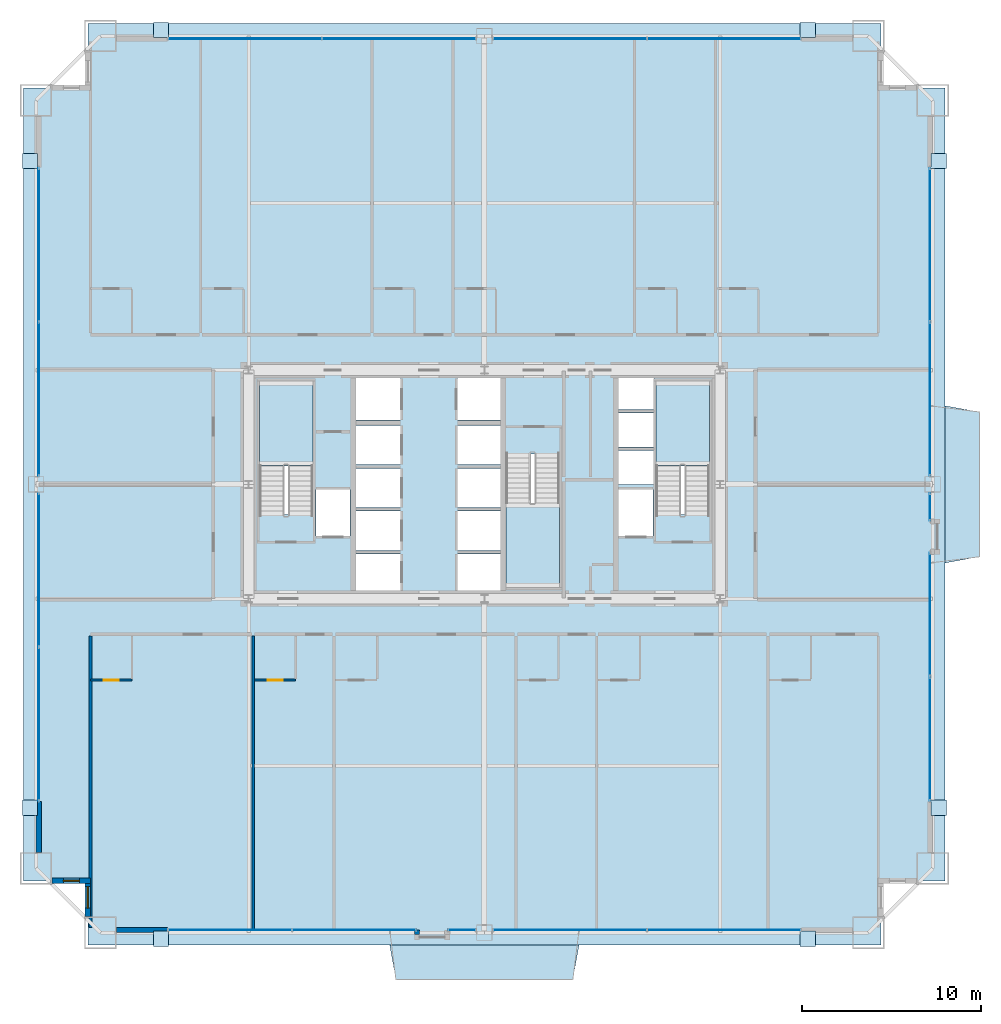
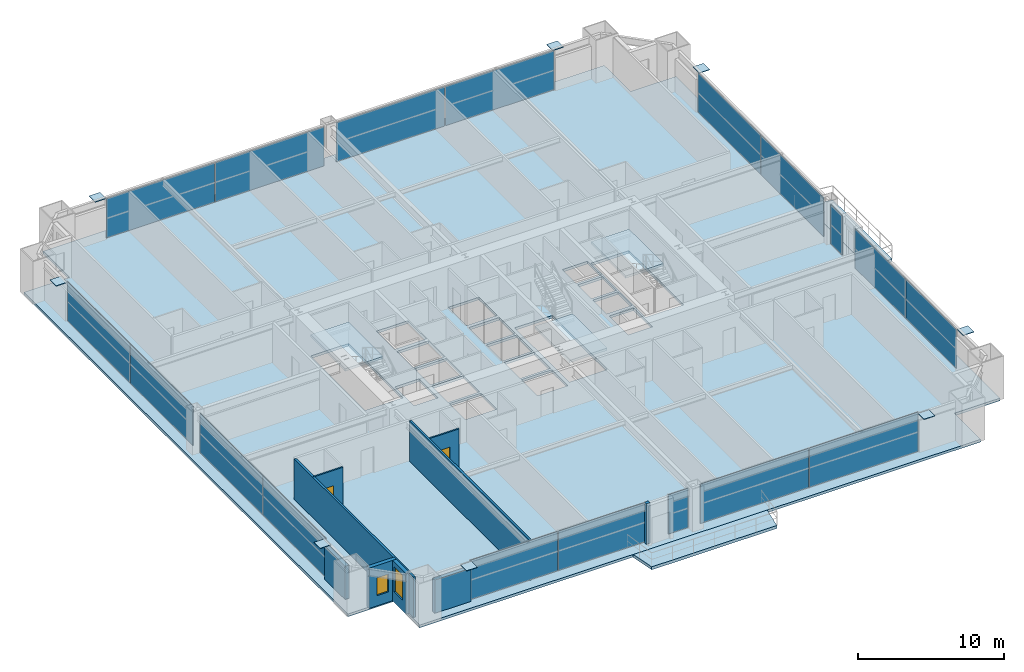
# One storey, part 37 of 43: 26 plates, 9 walls, 6 slabs, 2 doors, 2 windows, 4 openings, 13 elements without a shape of their own.
"""IFC4 building model written with IfcOpenShell, lengths in metres."""

from ifc_helpers import new_model, si_unit, direction, frame, frame_2d, origin, origin_2d, place, context, subcontext, project, spatial, polyline, rectangle, outline, extrude, source, transform, mapped, material, layer, layer_set, type_object, element, fill, aggregate, save


model = new_model("IFC4")

# Units and contexts
model_context = context("Model", 3, precision=1e-05, world=origin(), true_north=direction((0.0, 1.0)))
body_context = subcontext(model_context, "Body", "Model", "MODEL_VIEW")
ifc_project = project(units=[si_unit("LENGTHUNIT", "METRE"), si_unit("AREAUNIT", "SQUARE_METRE"), si_unit("VOLUMEUNIT", "CUBIC_METRE"), si_unit("PLANEANGLEUNIT", "RADIAN"), si_unit("MASSUNIT", "GRAM", prefix="KILO"), si_unit("THERMODYNAMICTEMPERATUREUNIT", "KELVIN"), si_unit("POWERUNIT", "WATT")], contexts=[model_context])

# Site, building, storey
site_placement = place(None, origin())
site = spatial("IfcSite", under=ifc_project, at=site_placement, CompositionType="ELEMENT")
building_placement = place(site_placement, origin())
building = spatial("IfcBuilding", under=site, at=building_placement, Name="Yuzanri Waterfront Tower", CompositionType="ELEMENT")
storey_placement = place(building_placement, frame((0.0, 0.0, 71.199951171875)))
storey = spatial("IfcBuildingStorey", under=building, at=storey_placement, Name="L18", CompositionType="ELEMENT", Elevation=71.199951171875)

# Stair, slab
ifc_material_1 = material(Name="Concrete C40", Category="concrete")
stair_type = type_object("IfcStairType", Name="Concrete C40 Core Dogleg Exit Stair", PredefinedType="HALF_TURN_STAIR", material=ifc_material_1)
stair_1_placement = place(storey_placement, origin())
stair_1 = element("IfcStair", 1, at=stair_1_placement, inside=storey, type_object=stair_type, Name="L18 Smoke-Proof Core Stair ST-01", PredefinedType="HALF_TURN_STAIR")
ifc_material_2 = material(Name="Concrete C40", Category="concrete")
ifc_layer_1 = layer(ifc_material_2, 0.179931640625)
ifc_layer_set_1 = layer_set([ifc_layer_1], Name="Concrete C40")
slab_type_1 = type_object("IfcSlabType", Name="Concrete C40 Stair Half-Landing Slab 180", PredefinedType="LANDING", material=ifc_layer_set_1)
slab_1_placement = place(storey_placement, frame((0.0, 0.0, 1.60009765625)))
slab_1 = element("IfcSlab", 2, at=slab_1_placement, type_object=slab_type_1, Name="ST-01 landing 1", PredefinedType="LANDING", context=body_context, shape_type="SweptSolid", body=[
    extrude(outline(polyline([(27.39990234375, 26.840087890625), (27.39990234375, 31.580078125), (24.39990234375, 31.580078125), (24.39990234375, 26.840087890625), (27.39990234375, 26.840087890625)])), origin(), (0.0, 0.0, 1.0), 0.199951171875),
])
aggregate(stair_1, [slab_1])

stair_2_placement = place(storey_placement, origin())
stair_2 = element("IfcStair", 3, at=stair_2_placement, inside=storey, type_object=stair_type, Name="L18 Smoke-Proof Core Stair ST-02", PredefinedType="HALF_TURN_STAIR")
slab_2_placement = place(storey_placement, frame((0.0, 0.0, 1.60009765625)))
slab_2 = element("IfcSlab", 4, at=slab_2_placement, type_object=slab_type_1, Name="ST-02 landing 1", PredefinedType="LANDING", context=body_context, shape_type="SweptSolid", body=[
    extrude(outline(polyline([(49.60009765625, 26.840087890625), (49.60009765625, 31.580078125), (46.60009765625, 31.580078125), (46.60009765625, 26.840087890625), (49.60009765625, 26.840087890625)])), origin(), (0.0, 0.0, 1.0), 0.199951171875),
])
aggregate(stair_2, [slab_2])

stair_3_placement = place(storey_placement, origin())
stair_3 = element("IfcStair", 5, at=stair_3_placement, inside=storey, type_object=stair_type, Name="L18 Smoke-Proof Core Stair ST-03", PredefinedType="HALF_TURN_STAIR")
slab_3_placement = place(storey_placement, frame((0.0, 0.0, 1.60009765625)))
slab_3 = element("IfcSlab", 6, at=slab_3_placement, type_object=slab_type_1, Name="ST-03 landing 1", PredefinedType="LANDING", context=body_context, shape_type="SweptSolid", body=[
    extrude(outline(polyline([(38.199951171875, 24.760009765625), (38.199951171875, 20.02001953125), (41.199951171875, 20.02001953125), (41.199951171875, 24.760009765625), (38.199951171875, 24.760009765625)])), origin(), (0.0, 0.0, 1.0), 0.199951171875),
])
aggregate(stair_3, [slab_3])

# Slabs
ifc_material_3 = material(Name="Concrete C40", Category="concrete")
ifc_layer_2 = layer(ifc_material_3, 0.25)
ifc_layer_set_2 = layer_set([ifc_layer_2], Name="Concrete C40")
slab_type_2 = type_object("IfcSlabType", Name="Concrete C40 Stepped Gorge Pocket Garden Terrace Slab 250", PredefinedType="FLOOR", material=ifc_layer_set_2)
slab_4_placement = place(storey_placement, frame((0.0, 0.0, -0.25)))
element("IfcSlab", 7, at=slab_4_placement, inside=storey, type_object=slab_type_2, Name="L18 S Cantilevered Engawa Terrace Slab", PredefinedType="FLOOR", context=body_context, shape_type="SweptSolid", body=[
    extrude(outline(polyline([(31.698974609375, 0.0), (42.301025390625, 0.0), (41.950927734375, -1.924072265625), (32.049072265625, -1.924072265625), (31.698974609375, 0.0)])), origin(), (0.0, 0.0, 1.0), 0.25),
])
slab_5_placement = place(storey_placement, frame((0.0, 0.0, -0.25)))
element("IfcSlab", 8, at=slab_5_placement, inside=storey, type_object=slab_type_2, Name="L18 E Cantilevered Engawa Terrace Slab", PredefinedType="FLOOR", context=body_context, shape_type="SweptSolid", body=[
    extrude(outline(polyline([(62.800048828125, 21.39990234375), (64.72412109375, 21.75), (64.72412109375, 29.85009765625), (62.800048828125, 30.199951171875), (62.800048828125, 21.39990234375)])), origin(), (0.0, 0.0, 1.0), 0.25),
])
ifc_material_4 = material(Name="Concrete C40", Category="concrete")
ifc_layer_3 = layer(ifc_material_4, 0.219970703125)
ifc_layer_set_3 = layer_set([ifc_layer_3], Name="Concrete C40")
slab_type_3 = type_object("IfcSlabType", Name="Concrete C40 Tower Typical Structural Floor Slab 220", PredefinedType="FLOOR", material=ifc_layer_set_3)
slab_6_placement = place(storey_placement, frame((0.0, 0.0, -0.219970703125)))
element("IfcSlab", 9, at=slab_6_placement, inside=storey, type_object=slab_type_3, Name="L18 Main Structural Floor Slab", PredefinedType="FLOOR", context=body_context, shape_type="SweptSolid", body=[
    extrude(outline(polyline([(14.800048828125, 0.0), (59.199951171875, 0.0), (59.199951171875, 3.60009765625), (62.800048828125, 3.60009765625), (62.800048828125, 48.0), (59.199951171875, 48.0), (59.199951171875, 51.60009765625), (14.800048828125, 51.60009765625), (14.800048828125, 48.0), (11.199951171875, 48.0), (11.199951171875, 3.60009765625), (14.800048828125, 3.60009765625), (14.800048828125, 0.0)]), holes=[polyline([(27.39990234375, 24.10009765625), (27.39990234375, 31.580078125), (24.39990234375, 31.580078125), (24.39990234375, 24.10009765625), (27.39990234375, 24.10009765625)]), polyline([(49.60009765625, 24.10009765625), (49.60009765625, 31.580078125), (46.60009765625, 31.580078125), (46.60009765625, 24.10009765625), (49.60009765625, 24.10009765625)]), polyline([(38.199951171875, 27.5), (38.199951171875, 20.02001953125), (41.199951171875, 20.02001953125), (41.199951171875, 27.5), (38.199951171875, 27.5)]), polyline([(27.56005859375, 22.89990234375), (29.47998046875, 22.89990234375), (29.47998046875, 25.5), (27.56005859375, 25.5), (27.56005859375, 22.89990234375)]), polyline([(44.52001953125, 22.89990234375), (46.43994140625, 22.89990234375), (46.43994140625, 25.5), (44.52001953125, 25.5), (44.52001953125, 22.89990234375)]), polyline([(29.800048828125, 19.699951171875), (32.300048828125, 19.699951171875), (32.300048828125, 21.89990234375), (29.800048828125, 21.89990234375), (29.800048828125, 19.699951171875)]), polyline([(29.800048828125, 22.10009765625), (32.300048828125, 22.10009765625), (32.300048828125, 24.300048828125), (29.800048828125, 24.300048828125), (29.800048828125, 22.10009765625)]), polyline([(29.800048828125, 24.5), (32.300048828125, 24.5), (32.300048828125, 26.699951171875), (29.800048828125, 26.699951171875), (29.800048828125, 24.5)]), polyline([(29.800048828125, 26.89990234375), (32.300048828125, 26.89990234375), (32.300048828125, 29.10009765625), (29.800048828125, 29.10009765625), (29.800048828125, 26.89990234375)]), polyline([(29.800048828125, 29.39990234375), (32.300048828125, 29.39990234375), (32.300048828125, 31.89990234375), (29.800048828125, 31.89990234375), (29.800048828125, 29.39990234375)]), polyline([(35.5, 19.699951171875), (37.89990234375, 19.699951171875), (37.89990234375, 21.89990234375), (35.5, 21.89990234375), (35.5, 19.699951171875)]), polyline([(35.5, 22.10009765625), (37.89990234375, 22.10009765625), (37.89990234375, 24.300048828125), (35.5, 24.300048828125), (35.5, 22.10009765625)]), polyline([(35.5, 24.5), (37.89990234375, 24.5), (37.89990234375, 26.699951171875), (35.5, 26.699951171875), (35.5, 24.5)]), polyline([(35.5, 26.89990234375), (37.89990234375, 26.89990234375), (37.89990234375, 29.10009765625), (35.5, 29.10009765625), (35.5, 26.89990234375)]), polyline([(35.5, 29.39990234375), (37.89990234375, 29.39990234375), (37.89990234375, 31.89990234375), (35.5, 31.89990234375), (35.5, 29.39990234375)]), polyline([(44.5, 25.800048828125), (46.5, 25.800048828125), (46.5, 27.699951171875), (44.5, 27.699951171875), (44.5, 25.800048828125)]), polyline([(44.5, 27.89990234375), (46.5, 27.89990234375), (46.5, 29.800048828125), (44.5, 29.800048828125), (44.5, 27.89990234375)]), polyline([(44.5, 30.0), (46.5, 30.0), (46.5, 31.89990234375), (44.5, 31.89990234375), (44.5, 30.0)])]), origin(), (0.0, 0.0, 1.0), 0.219970703125),
])

# Plates
ifc_material_5 = material(Name="Steel Q420GJC", Category="steel")
ifc_layer_4 = layer(ifc_material_5, 0.0400390625)
ifc_layer_set_4 = layer_set([ifc_layer_4], Name="Steel Q420GJC")
plate_type_1 = type_object("IfcPlateType", Name="Steel Q420GJC Mega-Brace Gusset and End-Cap Plate 40", PredefinedType="SHEET", material=ifc_layer_set_4)
shared_shape_1 = source(origin(), body_context, "Body", "SweptSolid", [
    extrude(rectangle(XDim=0.85009765625, YDim=0.85009765625, at=origin_2d()), origin(), (0.0, 0.0, 1.0), 0.0400390625),
])
for number, where, z_axis, x_axis, name in (
    (10, (18.89990234375, 0.360107421875, 3.260009765625), (0.0, 0.0, 1.0), (1.0, 0.0, 0.0), "L18 Mega-Brace Apex Cap Plate S-L"),
    (11, (55.10009765625, 0.360107421875, 3.260009765625), (0.0, 0.0, 1.0), (1.0, 0.0, 0.0), "L18 Mega-Brace Apex Cap Plate S-R"),
    (12, (18.89990234375, 51.239990234375, 3.260009765625), (0.0, 0.0, 1.0), (1.0, 0.0, 0.0), "L18 Mega-Brace Apex Cap Plate N-L"),
    (13, (55.10009765625, 51.239990234375, 3.260009765625), (0.0, 0.0, 1.0), (1.0, 0.0, 0.0), "L18 Mega-Brace Apex Cap Plate N-R"),
    (14, (11.56005859375, 7.699951171875, 3.260009765625), (0.0, 0.0, 1.0), (1.0, 0.0, 0.0), "L18 Mega-Brace Apex Cap Plate W-L"),
    (15, (11.56005859375, 43.89990234375, 3.260009765625), (0.0, 0.0, 1.0), (1.0, 0.0, 0.0), "L18 Mega-Brace Apex Cap Plate W-R"),
    (16, (62.43994140625, 7.699951171875, 3.260009765625), (0.0, 0.0, 1.0), (1.0, 0.0, 0.0), "L18 Mega-Brace Apex Cap Plate E-L"),
    (17, (62.43994140625, 43.89990234375, 3.260009765625), (0.0, 0.0, 1.0), (1.0, 0.0, 0.0), "L18 Mega-Brace Apex Cap Plate E-R"),
):
    element("IfcPlate", number, at=place(storey_placement, frame(where, z_axis=z_axis, x_axis=x_axis)), inside=storey, type_object=plate_type_1, Name=name, PredefinedType="SHEET", context=body_context, shape_type="MappedRepresentation", body=[
        mapped(shared_shape_1, transform((0.0, 0.0, 0.0), scale=1.0)),
    ])

# Curtain wall, plates
ifc_material_6 = material(Name="Anodized Architectural Bronze", Category="metal")
ifc_layer_5 = layer(ifc_material_6, 0.159912109375)
ifc_layer_set_5 = layer_set([ifc_layer_5], Name="Anodized Architectural Bronze")
curtain_wall_type = type_object("IfcCurtainWallType", Name="Anodized Bronze Hotel Lower-Tier Recessed Unitized Curtain Wall 8100", PredefinedType="NOTDEFINED", material=ifc_layer_set_5)
curtain_wall_1_placement = place(storey_placement, origin())
curtain_wall_1 = element("IfcCurtainWall", 18, at=curtain_wall_1_placement, inside=storey, type_object=curtain_wall_type, Name="L18 Curtain Wall CW-L18-SR", PredefinedType="NOTDEFINED")
ifc_material_7 = material(Name="Double-Silver Low-E Insulated Glass", Category="glass")
ifc_layer_6 = layer(ifc_material_7, 0.035888671875)
ifc_layer_set_6 = layer_set([ifc_layer_6], Name="Double-Silver Low-E Insulated Glass")
plate_type_2 = type_object("IfcPlateType", Name="Double Silver Low-E Insulated Vision Glass Panel 36", PredefinedType="CURTAIN_PANEL", material=ifc_layer_set_6)
shared_shape_2 = source(origin(), body_context, "Body", "SweptSolid", [
    extrude(rectangle(XDim=8.570068359375, YDim=0.035888671875, at=origin_2d()), origin(), (0.0, 0.0, 1.0), 3.280029296875),
])
plate_1_placement = place(storey_placement, frame((41.77490234375, 0.85009765625, 0.0498046875), z_axis=(0.0, 0.0, 1.0), x_axis=(1.0, 0.0, 0.0)))
plate_1 = element("IfcPlate", 19, at=plate_1_placement, type_object=plate_type_2, Name="CW-L18-SR Vision Glass Panel 01", PredefinedType="CURTAIN_PANEL", context=body_context, shape_type="MappedRepresentation", body=[
    mapped(shared_shape_2, transform((0.0, 0.0, 0.0), scale=1.0)),
])
plate_2_placement = place(storey_placement, frame((50.425048828125, 0.85009765625, 0.0498046875), z_axis=(0.0, 0.0, 1.0), x_axis=(1.0, 0.0, 0.0)))
plate_2 = element("IfcPlate", 20, at=plate_2_placement, type_object=plate_type_2, Name="CW-L18-SR Vision Glass Panel 02", PredefinedType="CURTAIN_PANEL", context=body_context, shape_type="MappedRepresentation", body=[
    mapped(shared_shape_2, transform((0.0, 0.0, 0.0), scale=1.0)),
])
aggregate(curtain_wall_1, [plate_1, plate_2])

curtain_wall_2_placement = place(storey_placement, origin())
curtain_wall_2 = element("IfcCurtainWall", 21, at=curtain_wall_2_placement, inside=storey, type_object=curtain_wall_type, Name="L18 Curtain Wall CW-L18-NL", PredefinedType="NOTDEFINED")
plate_3_placement = place(storey_placement, frame((23.574951171875, 50.75, 0.0498046875), z_axis=(0.0, 0.0, 1.0), x_axis=(1.0, 0.0, 0.0)))
plate_3 = element("IfcPlate", 22, at=plate_3_placement, type_object=plate_type_2, Name="CW-L18-NL Vision Glass Panel 01", PredefinedType="CURTAIN_PANEL", context=body_context, shape_type="MappedRepresentation", body=[
    mapped(shared_shape_2, transform((0.0, 0.0, 0.0), scale=1.0)),
])
plate_4_placement = place(storey_placement, frame((32.22509765625, 50.75, 0.0498046875), z_axis=(0.0, 0.0, 1.0), x_axis=(1.0, 0.0, 0.0)))
plate_4 = element("IfcPlate", 23, at=plate_4_placement, type_object=plate_type_2, Name="CW-L18-NL Vision Glass Panel 02", PredefinedType="CURTAIN_PANEL", context=body_context, shape_type="MappedRepresentation", body=[
    mapped(shared_shape_2, transform((0.0, 0.0, 0.0), scale=1.0)),
])
aggregate(curtain_wall_2, [plate_3, plate_4])

curtain_wall_3_placement = place(storey_placement, origin())
curtain_wall_3 = element("IfcCurtainWall", 24, at=curtain_wall_3_placement, inside=storey, type_object=curtain_wall_type, Name="L18 Curtain Wall CW-L18-NR", PredefinedType="NOTDEFINED")
plate_5_placement = place(storey_placement, frame((41.77490234375, 50.75, 0.0498046875), z_axis=(0.0, 0.0, 1.0), x_axis=(1.0, 0.0, 0.0)))
plate_5 = element("IfcPlate", 25, at=plate_5_placement, type_object=plate_type_2, Name="CW-L18-NR Vision Glass Panel 01", PredefinedType="CURTAIN_PANEL", context=body_context, shape_type="MappedRepresentation", body=[
    mapped(shared_shape_2, transform((0.0, 0.0, 0.0), scale=1.0)),
])
plate_6_placement = place(storey_placement, frame((50.425048828125, 50.75, 0.0498046875), z_axis=(0.0, 0.0, 1.0), x_axis=(1.0, 0.0, 0.0)))
plate_6 = element("IfcPlate", 26, at=plate_6_placement, type_object=plate_type_2, Name="CW-L18-NR Vision Glass Panel 02", PredefinedType="CURTAIN_PANEL", context=body_context, shape_type="MappedRepresentation", body=[
    mapped(shared_shape_2, transform((0.0, 0.0, 0.0), scale=1.0)),
])
aggregate(curtain_wall_3, [plate_5, plate_6])

curtain_wall_4_placement = place(storey_placement, origin())
curtain_wall_4 = element("IfcCurtainWall", 27, at=curtain_wall_4_placement, inside=storey, type_object=curtain_wall_type, Name="L18 Curtain Wall CW-L18-WL", PredefinedType="NOTDEFINED")
plate_7_placement = place(storey_placement, frame((12.050048828125, 12.375, 0.0498046875), z_axis=(0.0, 0.0, 1.0), x_axis=(0.0, 1.0, 0.0)))
plate_7 = element("IfcPlate", 28, at=plate_7_placement, type_object=plate_type_2, Name="CW-L18-WL Vision Glass Panel 01", PredefinedType="CURTAIN_PANEL", context=body_context, shape_type="MappedRepresentation", body=[
    mapped(shared_shape_2, transform((0.0, 0.0, 0.0), scale=1.0)),
])
plate_8_placement = place(storey_placement, frame((12.050048828125, 21.02490234375, 0.0498046875), z_axis=(0.0, 0.0, 1.0), x_axis=(0.0, 1.0, 0.0)))
plate_8 = element("IfcPlate", 29, at=plate_8_placement, type_object=plate_type_2, Name="CW-L18-WL Vision Glass Panel 02", PredefinedType="CURTAIN_PANEL", context=body_context, shape_type="MappedRepresentation", body=[
    mapped(shared_shape_2, transform((0.0, 0.0, 0.0), scale=1.0)),
])
aggregate(curtain_wall_4, [plate_7, plate_8])

curtain_wall_5_placement = place(storey_placement, origin())
curtain_wall_5 = element("IfcCurtainWall", 30, at=curtain_wall_5_placement, inside=storey, type_object=curtain_wall_type, Name="L18 Curtain Wall CW-L18-WR", PredefinedType="NOTDEFINED")
plate_9_placement = place(storey_placement, frame((12.050048828125, 30.574951171875, 0.0498046875), z_axis=(0.0, 0.0, 1.0), x_axis=(0.0, 1.0, 0.0)))
plate_9 = element("IfcPlate", 31, at=plate_9_placement, type_object=plate_type_2, Name="CW-L18-WR Vision Glass Panel 01", PredefinedType="CURTAIN_PANEL", context=body_context, shape_type="MappedRepresentation", body=[
    mapped(shared_shape_2, transform((0.0, 0.0, 0.0), scale=1.0)),
])
plate_10_placement = place(storey_placement, frame((12.050048828125, 39.22509765625, 0.0498046875), z_axis=(0.0, 0.0, 1.0), x_axis=(0.0, 1.0, 0.0)))
plate_10 = element("IfcPlate", 32, at=plate_10_placement, type_object=plate_type_2, Name="CW-L18-WR Vision Glass Panel 02", PredefinedType="CURTAIN_PANEL", context=body_context, shape_type="MappedRepresentation", body=[
    mapped(shared_shape_2, transform((0.0, 0.0, 0.0), scale=1.0)),
])
aggregate(curtain_wall_5, [plate_9, plate_10])

curtain_wall_6_placement = place(storey_placement, origin())
curtain_wall_6 = element("IfcCurtainWall", 33, at=curtain_wall_6_placement, inside=storey, type_object=curtain_wall_type, Name="L18 Curtain Wall CW-L18-ER", PredefinedType="NOTDEFINED")
plate_11_placement = place(storey_placement, frame((61.949951171875, 30.574951171875, 0.0498046875), z_axis=(0.0, 0.0, 1.0), x_axis=(0.0, 1.0, 0.0)))
plate_11 = element("IfcPlate", 34, at=plate_11_placement, type_object=plate_type_2, Name="CW-L18-ER Vision Glass Panel 01", PredefinedType="CURTAIN_PANEL", context=body_context, shape_type="MappedRepresentation", body=[
    mapped(shared_shape_2, transform((0.0, 0.0, 0.0), scale=1.0)),
])
plate_12_placement = place(storey_placement, frame((61.949951171875, 39.22509765625, 0.0498046875), z_axis=(0.0, 0.0, 1.0), x_axis=(0.0, 1.0, 0.0)))
plate_12 = element("IfcPlate", 35, at=plate_12_placement, type_object=plate_type_2, Name="CW-L18-ER Vision Glass Panel 02", PredefinedType="CURTAIN_PANEL", context=body_context, shape_type="MappedRepresentation", body=[
    mapped(shared_shape_2, transform((0.0, 0.0, 0.0), scale=1.0)),
])
aggregate(curtain_wall_6, [plate_11, plate_12])

curtain_wall_7_placement = place(storey_placement, origin())
curtain_wall_7 = element("IfcCurtainWall", 36, at=curtain_wall_7_placement, inside=storey, type_object=curtain_wall_type, Name="L18 Curtain Wall CW-L18-SL1", PredefinedType="NOTDEFINED")
shared_shape_3 = source(origin(), body_context, "Body", "SweptSolid", [
    extrude(rectangle(XDim=6.907470703125, YDim=0.035888671875, at=origin_2d()), origin(), (0.0, 0.0, 1.0), 3.280029296875),
])
plate_13_placement = place(storey_placement, frame((22.74365234375, 0.85009765625, 0.0498046875), z_axis=(0.0, 0.0, 1.0), x_axis=(1.0, 0.0, 0.0)))
plate_13 = element("IfcPlate", 37, at=plate_13_placement, type_object=plate_type_2, Name="CW-L18-SL1 Vision Glass Panel 01", PredefinedType="CURTAIN_PANEL", context=body_context, shape_type="MappedRepresentation", body=[
    mapped(shared_shape_3, transform((0.0, 0.0, 0.0), scale=1.0)),
])
plate_14_placement = place(storey_placement, frame((29.731201171875, 0.85009765625, 0.0498046875), z_axis=(0.0, 0.0, 1.0), x_axis=(1.0, 0.0, 0.0)))
plate_14 = element("IfcPlate", 38, at=plate_14_placement, type_object=plate_type_2, Name="CW-L18-SL1 Vision Glass Panel 02", PredefinedType="CURTAIN_PANEL", context=body_context, shape_type="MappedRepresentation", body=[
    mapped(shared_shape_3, transform((0.0, 0.0, 0.0), scale=1.0)),
])
aggregate(curtain_wall_7, [plate_13, plate_14])

curtain_wall_8_placement = place(storey_placement, origin())
curtain_wall_8 = element("IfcCurtainWall", 39, at=curtain_wall_8_placement, inside=storey, type_object=curtain_wall_type, Name="L18 Curtain Wall CW-L18-EL1", PredefinedType="NOTDEFINED")
plate_15_placement = place(storey_placement, frame((61.949951171875, 11.543701171875, 0.0498046875), z_axis=(0.0, 0.0, 1.0), x_axis=(0.0, 1.0, 0.0)))
plate_15 = element("IfcPlate", 40, at=plate_15_placement, type_object=plate_type_2, Name="CW-L18-EL1 Vision Glass Panel 01", PredefinedType="CURTAIN_PANEL", context=body_context, shape_type="MappedRepresentation", body=[
    mapped(shared_shape_3, transform((0.0, 0.0, 0.0), scale=1.0)),
])
plate_16_placement = place(storey_placement, frame((61.949951171875, 18.53125, 0.0498046875), z_axis=(0.0, 0.0, 1.0), x_axis=(0.0, 1.0, 0.0)))
plate_16 = element("IfcPlate", 41, at=plate_16_placement, type_object=plate_type_2, Name="CW-L18-EL1 Vision Glass Panel 02", PredefinedType="CURTAIN_PANEL", context=body_context, shape_type="MappedRepresentation", body=[
    mapped(shared_shape_3, transform((0.0, 0.0, 0.0), scale=1.0)),
])
aggregate(curtain_wall_8, [plate_15, plate_16])

# Curtain wall, plate
curtain_wall_9_placement = place(storey_placement, origin())
curtain_wall_9 = element("IfcCurtainWall", 42, at=curtain_wall_9_placement, inside=storey, type_object=curtain_wall_type, Name="L18 Curtain Wall CW-L18-SL2", PredefinedType="NOTDEFINED")
shared_shape_4 = source(origin(), body_context, "Body", "SweptSolid", [
    extrude(rectangle(XDim=1.544921875, YDim=0.035888671875, at=origin_2d()), origin(), (0.0, 0.0, 1.0), 3.280029296875),
])
plate_17_placement = place(storey_placement, frame((35.737548828125, 0.85009765625, 0.0498046875), z_axis=(0.0, 0.0, 1.0), x_axis=(1.0, 0.0, 0.0)))
plate_17 = element("IfcPlate", 43, at=plate_17_placement, type_object=plate_type_2, Name="CW-L18-SL2 Vision Glass Panel 01", PredefinedType="CURTAIN_PANEL", context=body_context, shape_type="MappedRepresentation", body=[
    mapped(shared_shape_4, transform((0.0, 0.0, 0.0), scale=1.0)),
])
aggregate(curtain_wall_9, [plate_17])

curtain_wall_10_placement = place(storey_placement, origin())
curtain_wall_10 = element("IfcCurtainWall", 44, at=curtain_wall_10_placement, inside=storey, type_object=curtain_wall_type, Name="L18 Curtain Wall CW-L18-EL2", PredefinedType="NOTDEFINED")
plate_18_placement = place(storey_placement, frame((61.949951171875, 24.53759765625, 0.0498046875), z_axis=(0.0, 0.0, 1.0), x_axis=(0.0, 1.0, 0.0)))
plate_18 = element("IfcPlate", 45, at=plate_18_placement, type_object=plate_type_2, Name="CW-L18-EL2 Vision Glass Panel 01", PredefinedType="CURTAIN_PANEL", context=body_context, shape_type="MappedRepresentation", body=[
    mapped(shared_shape_4, transform((0.0, 0.0, 0.0), scale=1.0)),
])
aggregate(curtain_wall_10, [plate_18])

# Wall, opening, door
ifc_material_8 = material(Name="Moisture-Resistant Gypsum Stud Wall", Category="gypsum")
ifc_layer_7 = layer(ifc_material_8, 0.1201171875)
ifc_layer_set_7 = layer_set([ifc_layer_7], Name="Moisture-Resistant Gypsum Stud Wall")
wall_type_1 = type_object("IfcWallType", Name="Bathroom and Kitchen Wet Partition 120", PredefinedType="PARTITIONING", material=ifc_layer_set_7)
wall_1_placement = place(storey_placement, frame((14.93994140625, 14.840087890625, 0.0), z_axis=(0.0, 0.0, 1.0), x_axis=(1.0, 0.0, 0.0)))
wall_1 = element("IfcWall", 46, at=wall_1_placement, inside=storey, type_object=wall_type_1, Name="L18 Partition UW-L18-S1-BS", PredefinedType="PARTITIONING", context=body_context, shape_type="SweptSolid", body=[
    extrude(rectangle(XDim=2.330078125, YDim=0.1201171875, at=frame_2d((1.1650390625, 0.0))), origin(), (0.0, 0.0, 1.0), 3.380126953125),
])
opening_1_placement = place(wall_1_placement, frame((0.739990234375, 0.0, 0.0)))
opening_1 = element("IfcOpeningElement", 47, at=opening_1_placement, cuts=wall_1, Name="Opening ID-0850", PredefinedType="OPENING", context=body_context, shape_type="SweptSolid", body=[
    extrude(rectangle(XDim=0.85009765625, YDim=2.10009765625, at=frame_2d((0.425048828125, 1.050048828125))), frame((0.0, 0.074951171875, 0.0), z_axis=(0.0, -1.0, 0.0), x_axis=(1.0, 0.0, 0.0)), (0.0, 0.0, 1.0), 0.14990234375),
])
ifc_material_9 = material(Name="Moisture-Resistant Lacquered Timber", Category="wood")
door_type = type_object("IfcDoorType", Name="En-Suite Bathroom and Kitchen Swing Door 850x2100", OperationType="NOTDEFINED", PredefinedType="DOOR", material=ifc_material_9)
shared_shape_5 = source(origin(), body_context, "Body", "SweptSolid", [
    extrude(rectangle(XDim=0.85009765625, YDim=2.10009765625, at=frame_2d((0.425048828125, 1.050048828125))), frame((0.0, 0.02490234375, 0.0), z_axis=(0.0, -1.0, 0.0), x_axis=(1.0, 0.0, 0.0)), (0.0, 0.0, 1.0), 0.050048828125),
])
door_1_placement = place(opening_1_placement, origin())
door_1 = element("IfcDoor", 48, at=door_1_placement, inside=storey, type_object=door_type, Name="L18 Guest En-Suite Door", OperationType="SINGLE_SWING_LEFT", OverallHeight=2.10009765625, OverallWidth=0.85009765625, PredefinedType="DOOR", context=body_context, shape_type="MappedRepresentation", body=[
    mapped(shared_shape_5, transform((0.0, 0.0, 0.0), scale=1.0)),
])
fill(opening_1, door_1)

wall_2_placement = place(storey_placement, frame((24.137939453125, 14.840087890625, 0.0), z_axis=(0.0, 0.0, 1.0), x_axis=(1.0, 0.0, 0.0)))
wall_2 = element("IfcWall", 49, at=wall_2_placement, inside=storey, type_object=wall_type_1, Name="L18 Partition UW-L18-S2-BS", PredefinedType="PARTITIONING", context=body_context, shape_type="SweptSolid", body=[
    extrude(rectangle(XDim=2.300048828125, YDim=0.1201171875, at=frame_2d((1.14990234375, 0.0))), origin(), (0.0, 0.0, 1.0), 3.380126953125),
])
opening_2_placement = place(wall_2_placement, frame((0.72509765625, 0.0, 0.0)))
opening_2 = element("IfcOpeningElement", 50, at=opening_2_placement, cuts=wall_2, Name="Opening ID-0850", PredefinedType="OPENING", context=body_context, shape_type="SweptSolid", body=[
    extrude(rectangle(XDim=0.85009765625, YDim=2.10009765625, at=frame_2d((0.425048828125, 1.050048828125))), frame((0.0, 0.074951171875, 0.0), z_axis=(0.0, -1.0, 0.0), x_axis=(1.0, 0.0, 0.0)), (0.0, 0.0, 1.0), 0.14990234375),
])
door_2_placement = place(opening_2_placement, origin())
door_2 = element("IfcDoor", 51, at=door_2_placement, inside=storey, type_object=door_type, Name="L18 Guest En-Suite Door", OperationType="SINGLE_SWING_LEFT", OverallHeight=2.10009765625, OverallWidth=0.85009765625, PredefinedType="DOOR", context=body_context, shape_type="MappedRepresentation", body=[
    mapped(shared_shape_5, transform((0.0, 0.0, 0.0), scale=1.0)),
])
fill(opening_2, door_2)

# Wall, opening, window
ifc_material_10 = material(Name="Honed Chongqing Dark Basalt Stone", Category="masonry")
ifc_layer_8 = layer(ifc_material_10, 0.300048828125)
ifc_layer_set_8 = layer_set([ifc_layer_8], Name="Honed Chongqing Dark Basalt Stone")
wall_type_2 = type_object("IfcWallType", Name="Bronze Rainscreen Insulated Spandrel Portal Wall 300", PredefinedType="SOLIDWALL", material=ifc_layer_set_8)
wall_3_placement = place(storey_placement, frame((12.800048828125, 3.60009765625, 0.0), z_axis=(0.0, 0.0, 1.0), x_axis=(1.0, 0.0, 0.0)))
wall_3 = element("IfcWall", 52, at=wall_3_placement, inside=storey, type_object=wall_type_2, Name="L18 Notched Corner Masonry Wall SW-X", PredefinedType="SOLIDWALL", context=body_context, shape_type="SweptSolid", body=[
    extrude(rectangle(XDim=2.14990234375, YDim=0.300048828125, at=frame_2d((1.074951171875, 0.0))), origin(), (0.0, 0.0, 1.0), 3.380126953125),
])
opening_3_placement = place(wall_3_placement, frame((0.625, 0.0, 0.85009765625)))
opening_3 = element("IfcOpeningElement", 53, at=opening_3_placement, cuts=wall_3, Name="Opening WN-05", PredefinedType="OPENING", context=body_context, shape_type="SweptSolid", body=[
    extrude(rectangle(XDim=0.89990234375, YDim=1.5, at=frame_2d((0.449951171875, 0.75))), frame((0.0, 0.1650390625, 0.0), z_axis=(0.0, -1.0, 0.0), x_axis=(1.0, 0.0, 0.0)), (0.0, 0.0, 1.0), 0.329833984375),
])
ifc_material_11 = material(Name="Double-Silver Low-E Insulated Glass", Category="glass")
window_type_1 = type_object("IfcWindowType", Name="Anodized Bronze Service and Stairwell Smoke-Vent Window 900x1500", PartitioningType="SINGLE_PANEL", PredefinedType="WINDOW", material=ifc_material_11)
shared_shape_6 = source(origin(), body_context, "Body", "SweptSolid", [
    extrude(rectangle(XDim=0.89990234375, YDim=1.5, at=frame_2d((0.449951171875, 0.75))), frame((0.0, 0.030029296875, 0.0), z_axis=(0.0, -1.0, 0.0), x_axis=(1.0, 0.0, 0.0)), (0.0, 0.0, 1.0), 0.06005859375),
])
window_1_placement = place(opening_3_placement, origin())
window_1 = element("IfcWindow", 54, at=window_1_placement, inside=storey, type_object=window_type_1, Name="L18 Notched Corner Window SW-X", OverallHeight=1.5, OverallWidth=0.89990234375, PartitioningType="SINGLE_PANEL", PredefinedType="WINDOW", context=body_context, shape_type="MappedRepresentation", body=[
    mapped(shared_shape_6, transform((0.0, 0.0, 0.0), scale=1.0)),
])
fill(opening_3, window_1)

wall_4_placement = place(storey_placement, frame((14.800048828125, 3.75, 0.0), z_axis=(0.0, 0.0, 1.0), x_axis=(0.0, -1.0, 0.0)))
wall_4 = element("IfcWall", 55, at=wall_4_placement, inside=storey, type_object=wall_type_2, Name="L18 Notched Corner Masonry Wall SW-Y", PredefinedType="SOLIDWALL", context=body_context, shape_type="SweptSolid", body=[
    extrude(rectangle(XDim=2.14990234375, YDim=0.300048828125, at=frame_2d((1.074951171875, 0.0))), origin(), (0.0, 0.0, 1.0), 3.380126953125),
])
opening_4_placement = place(wall_4_placement, frame((0.47509765625, 0.0, 0.85009765625)))
opening_4 = element("IfcOpeningElement", 56, at=opening_4_placement, cuts=wall_4, Name="Opening WN-02", PredefinedType="OPENING", context=body_context, shape_type="SweptSolid", body=[
    extrude(rectangle(XDim=1.199951171875, YDim=2.10009765625, at=frame_2d((0.60009765625, 1.050048828125))), frame((0.0, 0.1650390625, 0.0), z_axis=(0.0, -1.0, 0.0), x_axis=(1.0, 0.0, 0.0)), (0.0, 0.0, 1.0), 0.329833984375),
])
ifc_material_12 = material(Name="Double-Silver Low-E Insulated Glass", Category="glass")
window_type_2 = type_object("IfcWindowType", Name="Anodized Bronze Notched Corner Deep-Set Slot Window 1200x2100", PartitioningType="SINGLE_PANEL", PredefinedType="WINDOW", material=ifc_material_12)
shared_shape_7 = source(origin(), body_context, "Body", "SweptSolid", [
    extrude(rectangle(XDim=1.199951171875, YDim=2.10009765625, at=frame_2d((0.60009765625, 1.050048828125))), frame((0.0, 0.030029296875, 0.0), z_axis=(0.0, -1.0, 0.0), x_axis=(1.0, 0.0, 0.0)), (0.0, 0.0, 1.0), 0.06005859375),
])
window_2_placement = place(opening_4_placement, origin())
window_2 = element("IfcWindow", 57, at=window_2_placement, inside=storey, type_object=window_type_2, Name="L18 Notched Corner Window SW-Y", OverallHeight=2.10009765625, OverallWidth=1.199951171875, PartitioningType="SINGLE_PANEL", PredefinedType="WINDOW", context=body_context, shape_type="MappedRepresentation", body=[
    mapped(shared_shape_7, transform((0.0, 0.0, 0.0), scale=1.0)),
])
fill(opening_4, window_2)

# Walls
shared_shape_8 = source(origin(), body_context, "Body", "SweptSolid", [
    extrude(rectangle(XDim=2.85009765625, YDim=0.300048828125, at=frame_2d((1.425048828125, 0.0))), origin(), (0.0, 0.0, 1.0), 2.775146484375),
])
for number, where, z_axis, x_axis, name in (
    (58, (16.39990234375, 0.85009765625, 0.0), (0.0, 0.0, 1.0), (1.0, 0.0, 0.0), "L18 S Left Braced Masonry Shoulder"),
    (59, (12.050048828125, 5.199951171875, 0.0), (0.0, 0.0, 1.0), (0.0, 1.0, 0.0), "L18 W Left Braced Masonry Shoulder"),
):
    element("IfcWall", number, at=place(storey_placement, frame(where, z_axis=z_axis, x_axis=x_axis)), inside=storey, type_object=wall_type_2, Name=name, PredefinedType="SOLIDWALL", context=body_context, shape_type="MappedRepresentation", body=[
        mapped(shared_shape_8, transform((0.0, 0.0, 0.0), scale=1.0)),
    ])
shared_shape_9 = source(origin(), body_context, "Body", "SweptSolid", [
    extrude(rectangle(XDim=0.25, YDim=0.300048828125, at=frame_2d((0.125, 0.0))), origin(), (0.0, 0.0, 1.0), 3.380126953125),
])
wall_5_placement = place(storey_placement, frame((33.22509765625, 0.85009765625, 0.0), z_axis=(0.0, 0.0, 1.0), x_axis=(0.0, -1.0, 0.0)))
element("IfcWall", 60, at=wall_5_placement, inside=storey, type_object=wall_type_2, Name="L18 S Terrace Portal Left Return", PredefinedType="SOLIDWALL", context=body_context, shape_type="MappedRepresentation", body=[
    mapped(shared_shape_9, transform((0.0, 0.0, 0.0), scale=1.0)),
])
ifc_material_13 = material(Name="Gypsum Fireboard Acoustic Stud Wall", Category="gypsum")
ifc_layer_9 = layer(ifc_material_13, 0.159912109375)
ifc_layer_set_9 = layer_set([ifc_layer_9], Name="Gypsum Fireboard Acoustic Stud Wall")
wall_type_3 = type_object("IfcWallType", Name="Acoustic Suite Demising Partition 160", PredefinedType="PARTITIONING", material=ifc_layer_set_9)
shared_shape_10 = source(origin(), body_context, "Body", "SweptSolid", [
    extrude(rectangle(XDim=16.469970703125, YDim=0.159912109375, at=frame_2d((8.23486328125, 0.0))), origin(), (0.0, 0.0, 1.0), 3.380126953125),
])
wall_6_placement = place(storey_placement, frame((24.05810546875, 0.85009765625, 0.0), z_axis=(0.0, 0.0, 1.0), x_axis=(0.0, 1.0, 0.0)))
element("IfcWall", 61, at=wall_6_placement, inside=storey, type_object=wall_type_3, Name="L18-S1 Party Wall", PredefinedType="PARTITIONING", context=body_context, shape_type="MappedRepresentation", body=[
    mapped(shared_shape_10, transform((0.0, 0.0, 0.0), scale=1.0)),
])
shared_shape_11 = source(origin(), body_context, "Body", "SweptSolid", [
    extrude(rectangle(XDim=16.320068359375, YDim=0.159912109375, at=frame_2d((8.16015625, 0.0))), origin(), (0.0, 0.0, 1.0), 3.380126953125),
])
wall_7_placement = place(storey_placement, frame((14.949951171875, 1.0, 0.0), z_axis=(0.0, 0.0, 1.0), x_axis=(0.0, 1.0, 0.0)))
element("IfcWall", 62, at=wall_7_placement, inside=storey, type_object=wall_type_3, Name="L18 South Band West End Wall", PredefinedType="PARTITIONING", context=body_context, shape_type="MappedRepresentation", body=[
    mapped(shared_shape_11, transform((0.0, 0.0, 0.0), scale=1.0)),
])

save(model, "model.ifc")
